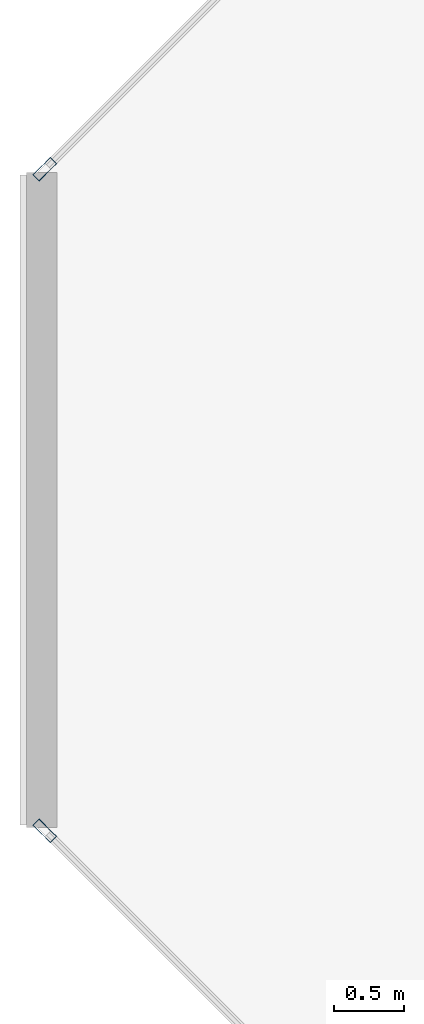
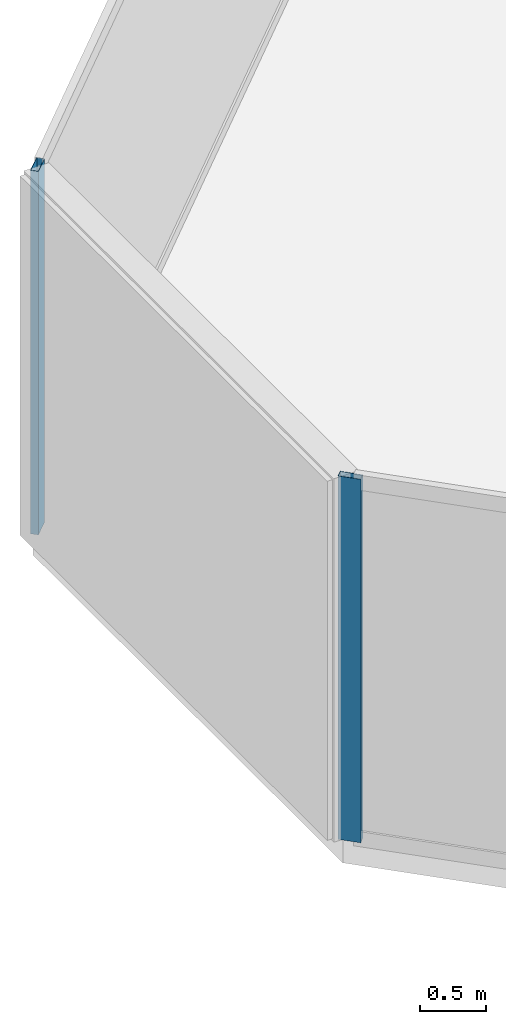
# One storey, part 4 of 16: 2 members, 2 elements without a shape of their own.
"""IFC4 building model written with IfcOpenShell, lengths in metres."""

from ifc_helpers import new_model, si_unit, direction, frame, origin, origin_2d, place, context, subcontext, project, spatial, hollow_rectangle, extrude, material, layer, layer_set, material_profile, profile_set, type_object, element, aggregate, save


model = new_model("IFC4")

# Units and contexts
model_context = context("Model", 3, precision=1e-05, world=origin(), true_north=direction((0.0, 1.0)))
body_context = subcontext(model_context, "Body", "Model", "MODEL_VIEW")
ifc_project = project(units=[si_unit("LENGTHUNIT", "METRE"), si_unit("AREAUNIT", "SQUARE_METRE"), si_unit("VOLUMEUNIT", "CUBIC_METRE"), si_unit("PLANEANGLEUNIT", "RADIAN"), si_unit("MASSUNIT", "GRAM", prefix="KILO")], contexts=[model_context])

# Site, building, storey
site_placement = place(None, origin())
site = spatial("IfcSite", under=ifc_project, at=site_placement, CompositionType="ELEMENT")
building_placement = place(site_placement, origin())
building = spatial("IfcBuilding", under=site, at=building_placement, Name="Tanjung Sevakor Pilgrim Tower", CompositionType="ELEMENT")
storey_placement = place(building_placement, frame((0.0, 0.0, 275.219970703125)))
storey = spatial("IfcBuildingStorey", under=building, at=storey_placement, Name="L77", CompositionType="ELEMENT", Elevation=275.219970703125)

# Curtain wall, member
ifc_material_1 = material(Name="Aluminium 6063-T6 and Low-E Glass", Category="aluminium")
ifc_layer = layer(ifc_material_1, 0.179931640625)
ifc_layer_set = layer_set([ifc_layer], Name="CW-SYS-CHAM")
curtain_wall_type = type_object("IfcCurtainWallType", Name="CW-SYS-CHAM", PredefinedType="NOTDEFINED", material=ifc_layer_set)
curtain_wall_1_placement = place(storey_placement, origin())
curtain_wall_1 = element("IfcCurtainWall", 1, at=curtain_wall_1_placement, inside=storey, type_object=curtain_wall_type, Name="L77 Curtain Wall CW-CHM-L77-EAST-5", PredefinedType="NOTDEFINED")
ifc_material_2 = material(Name="Aluminium 6063-T6", Category="aluminium")
ifc_material_profile = material_profile(ifc_material_2, hollow_rectangle(XDim=0.06494140625, YDim=0.179931640625, WallThickness=0.00390625, at=origin_2d()))
ifc_profile_set = profile_set([ifc_material_profile], Name="Aluminium 6063-T6")
member_type = type_object("IfcMemberType", Name="TYPE-CWM-1", PredefinedType="MULLION", material=ifc_profile_set)
member_1_placement = place(storey_placement, frame((52.23291015625, 35.977294921875, 0.0), z_axis=(0.0, 0.0, 1.0), x_axis=(0.707106781187, -0.707106781187, 0.0)))
member_1 = element("IfcMember", 2, at=member_1_placement, type_object=member_type, Name="CW-CHM mullion 2", PredefinedType="MULLION", context=body_context, shape_type="SweptSolid", body=[
    extrude(hollow_rectangle(XDim=0.06494140625, YDim=0.179931640625, WallThickness=0.00390625, at=origin_2d()), origin(), (0.0, 0.0, 1.0), 3.3701171875),
])
aggregate(curtain_wall_1, [member_1])

curtain_wall_2_placement = place(storey_placement, origin())
curtain_wall_2 = element("IfcCurtainWall", 3, at=curtain_wall_2_placement, inside=storey, type_object=curtain_wall_type, Name="L77 Curtain Wall CW-CHM-L77-EAST-7", PredefinedType="NOTDEFINED")
member_2_placement = place(storey_placement, frame((52.23291015625, 31.22265625, 0.0), z_axis=(0.0, 0.0, 1.0), x_axis=(0.707106781187, 0.707106781187, 0.0)))
member_2 = element("IfcMember", 4, at=member_2_placement, type_object=member_type, Name="CW-CHM mullion 1", PredefinedType="MULLION", context=body_context, shape_type="SweptSolid", body=[
    extrude(hollow_rectangle(XDim=0.06494140625, YDim=0.179931640625, WallThickness=0.00390625, at=origin_2d()), origin(), (0.0, 0.0, 1.0), 3.3701171875),
])
aggregate(curtain_wall_2, [member_2])

save(model, "model.ifc")
